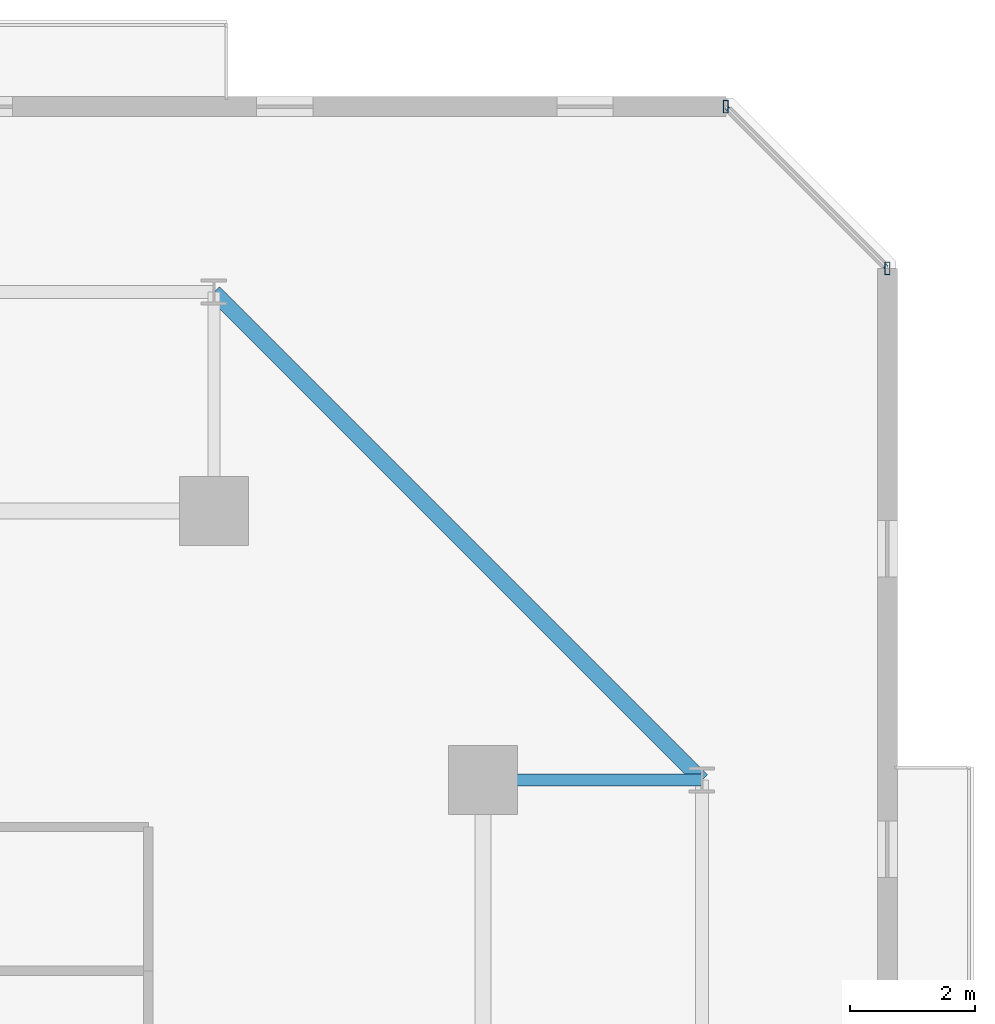
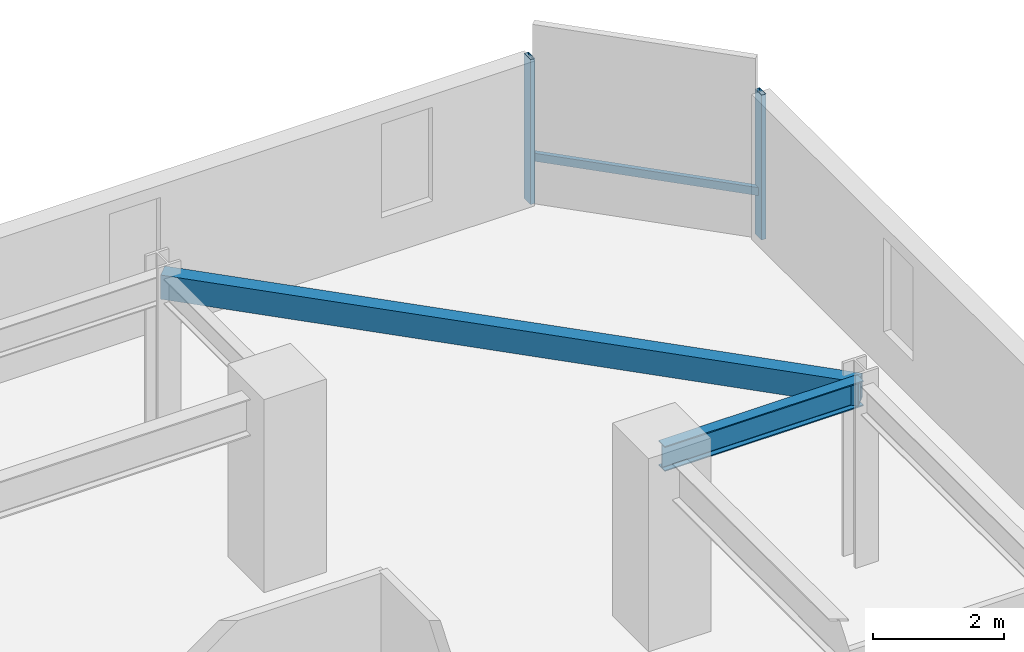
# One storey, part 17 of 33: 3 members, 2 beams, 1 element without a shape of its own.
"""IFC4 building model written with IfcOpenShell, lengths in metres."""

import ifcopenshell
import ifcopenshell.guid

model = None  # the IFC model being written
_history = None  # IfcOwnerHistory: only IFC2X3 demands one
_inside = {}  # id of a spatial element -> (the spatial element, [elements in it])
_under = {}  # id of a project, library or spatial element -> (it, [spatial elements below it])
_declared = {}  # id of a project -> (the project, [libraries it declares])
_typed = {}  # id of a type object -> (the type object, [elements of that type])
_made_of = {}  # id of a material, layer set ... -> (it, [elements and type objects made of it])


def new_model(schema):
    """Start an empty IFC model of exactly this schema.

    Asked for "IFC4X3", IfcOpenShell would pick the latest addendum, in which some entities
    have other attributes; the version numbers below select the first issue.
    IFC2X3 requires an IfcOwnerHistory on every rooted entity: one is made here for all.
    """
    global model, _history
    if schema == "IFC4X3":
        model = ifcopenshell.file(schema_version=(4, 3, 0, 0))
    else:
        model = ifcopenshell.file(schema=schema)
    _inside.clear()
    _under.clear()
    _declared.clear()
    _typed.clear()
    _made_of.clear()
    _history = None
    if model.schema == "IFC2X3":
        org = make("IfcOrganization", Name="unknown")
        user = make(
            "IfcPersonAndOrganization",
            ThePerson=make("IfcPerson", FamilyName="unknown"),
            TheOrganization=org,
        )
        app = make(
            "IfcApplication",
            ApplicationDeveloper=org,
            Version="unknown",
            ApplicationFullName="unknown",
            ApplicationIdentifier="unknown",
        )
        _history = make(
            "IfcOwnerHistory",
            OwningUser=user,
            OwningApplication=app,
            ChangeAction="ADDED",
            CreationDate=0,
        )
    return model


def make(cls, **values):
    """One entity of the class cls with the attributes given. An attribute that is None is left unset."""
    return model.create_entity(
        cls, **{name: value for name, value in values.items() if value is not None}
    )


def rooted(cls, **values):
    """An entity with a GlobalId (a new one), such as an element, a storey or a relation."""
    return make(cls, GlobalId=ifcopenshell.guid.new(), OwnerHistory=_history, **values)


def si_unit(unit_type, name, prefix=None):
    """IfcSIUnit, for example si_unit("LENGTHUNIT", "METRE", prefix="MILLI")."""
    return make("IfcSIUnit", UnitType=unit_type, Prefix=prefix, Name=name)


def assignment(units):
    """IfcUnitAssignment: the units of a project."""
    return None if units is None else make("IfcUnitAssignment", Units=units)


def point(xyz):
    """IfcCartesianPoint."""
    return None if xyz is None else make("IfcCartesianPoint", Coordinates=xyz)


def direction(xyz):
    """IfcDirection."""
    return None if xyz is None else make("IfcDirection", DirectionRatios=xyz)


def frame(location, z_axis=None, x_axis=None):
    """IfcAxis2Placement3D, a coordinate frame: its origin and axes. An axis left out is left unset."""
    return make(
        "IfcAxis2Placement3D",
        Location=point(location),
        Axis=direction(z_axis),
        RefDirection=direction(x_axis),
    )


def frame_2d(location, x_axis=None):
    """IfcAxis2Placement2D, a coordinate frame in the plane: its origin and x axis."""
    return make(
        "IfcAxis2Placement2D", Location=point(location), RefDirection=direction(x_axis)
    )


def origin():
    """The frame at (0, 0, 0) with its axes left unset."""
    return frame((0.0, 0.0, 0.0))


def origin_2d():
    """The frame at (0, 0) in the plane with its x axis left unset."""
    return frame_2d((0.0, 0.0))


def place(relative_to, where):
    """IfcLocalPlacement: puts the frame where relative to a parent placement (None: the world)."""
    return make(
        "IfcLocalPlacement", PlacementRelTo=relative_to, RelativePlacement=where
    )


def context(
    kind, dimensions, precision=None, world=None, true_north=None, identifier=None
):
    """IfcGeometricRepresentationContext, for example the 3D "Model" context."""
    return make(
        "IfcGeometricRepresentationContext",
        ContextIdentifier=identifier,
        ContextType=kind,
        CoordinateSpaceDimension=dimensions,
        Precision=precision,
        WorldCoordinateSystem=world,
        TrueNorth=true_north,
    )


def subcontext(parent, identifier, kind, view, scale=None):
    """IfcGeometricRepresentationSubContext, for example "Body" below "Model"."""
    return make(
        "IfcGeometricRepresentationSubContext",
        ContextIdentifier=identifier,
        ContextType=kind,
        ParentContext=parent,
        TargetScale=scale,
        TargetView=view,
    )


def project(units=None, contexts=None):
    """IfcProject with its units and contexts."""
    return rooted(
        "IfcProject",
        Name="project",
        RepresentationContexts=contexts,
        UnitsInContext=assignment(units),
    )


def spatial(cls, under=None, at=None, **own):
    """A site, building, storey or space (cls), placed at a placement, below another one or the project."""
    s = rooted(cls, ObjectPlacement=at, **own)
    if under is not None:
        _under.setdefault(under.id(), (under, []))[1].append(s)
    return s


def profile(cls, at=None, kind="AREA", **sizes):
    """A parametric profile (cls). Its sizes go by their IFC names, for example OverallWidth=200.0."""
    return make(cls, ProfileType=kind, Position=at, **sizes)


def hollow_rectangle(**sizes):
    """IfcRectangleHollowProfileDef."""
    return profile("IfcRectangleHollowProfileDef", **sizes)


def i_section(**sizes):
    """IfcIShapeProfileDef."""
    return profile("IfcIShapeProfileDef", **sizes)


def extrude(swept, where, along, depth):
    """IfcExtrudedAreaSolid: the profile swept, set in the frame where, extruded along a direction by depth."""
    return make(
        "IfcExtrudedAreaSolid",
        SweptArea=swept,
        Position=where,
        ExtrudedDirection=direction(along),
        Depth=depth,
    )


def shape(context_of_items, identifier, shape_type, items):
    """IfcShapeRepresentation: the items that make up one representation, for example the "Body"."""
    return make(
        "IfcShapeRepresentation",
        ContextOfItems=context_of_items,
        RepresentationIdentifier=identifier,
        RepresentationType=shape_type,
        Items=items,
    )


def material(Name=None, Category=None):
    """IfcMaterial."""
    return make("IfcMaterial", Name=Name, Category=Category)


def material_profile(
    of_material, cross_section, Name=None, Category=None, Priority=None
):
    """IfcMaterialProfile: a cross section and its material."""
    return make(
        "IfcMaterialProfile",
        Name=Name,
        Material=of_material,
        Profile=cross_section,
        Priority=Priority,
        Category=Category,
    )


def profile_set(profiles, Name=None, composite=None):
    """IfcMaterialProfileSet."""
    return make(
        "IfcMaterialProfileSet",
        Name=Name,
        MaterialProfiles=profiles,
        CompositeProfile=composite,
    )


def made_of(thing, what):
    """Note that an element or type object is made of a material, layer set ...; save() writes the relation."""
    if what is not None:
        _made_of.setdefault(what.id(), (what, []))[1].append(thing)
    return thing


def type_object(cls, material=None, **own):
    """A type object (cls), such as IfcWallType, which elements share."""
    return made_of(rooted(cls, **own), material)


def element(
    cls,
    number,
    at=None,
    inside=None,
    cuts=None,
    type_object=None,
    material=None,
    context=None,
    identifier="Body",
    shape_type=None,
    held_by="IfcProductDefinitionShape",
    body=None,
    shapes=None,
    **own,
):
    """One element of the class cls, such as IfcWall. Its Tag is "e" and its number.

    at: its placement. inside: the storey or other place that contains it. cuts: it is an
    opening in that element (IfcRelVoidsElement). A single representation is given by context,
    identifier, shape_type and body (its items); several are given by shapes. held_by: the class
    of the entity that holds the representations. save() writes the other relations.
    """
    e = rooted(cls, Tag="e%d" % number, ObjectPlacement=at, **own)
    if body is not None:
        shapes = [shape(context, identifier, shape_type, body)]
    if shapes is not None:
        e.Representation = make(held_by, Representations=shapes)
    if inside is not None:
        _inside.setdefault(inside.id(), (inside, []))[1].append(e)
    if cuts is not None:
        rooted(
            "IfcRelVoidsElement", RelatingBuildingElement=cuts, RelatedOpeningElement=e
        )
    if type_object is not None:
        _typed.setdefault(type_object.id(), (type_object, []))[1].append(e)
    return made_of(e, material)


def aggregate(whole, parts):
    """IfcRelAggregates: a whole, such as a stair, and the parts it consists of."""
    return rooted("IfcRelAggregates", RelatingObject=whole, RelatedObjects=parts)


def save(model, path):
    """Write the relations noted so far, then the file.

    IfcRelAggregates (storeys below a building ...), IfcRelContainedInSpatialStructure (elements
    in a storey), IfcRelDefinesByType, IfcRelAssociatesMaterial and IfcRelDeclares: one each for
    every whole, place, type object, material and project.
    """
    for whole, parts in _under.values():
        aggregate(whole, parts)
    for where, things in _inside.values():
        rooted(
            "IfcRelContainedInSpatialStructure",
            RelatedElements=things,
            RelatingStructure=where,
        )
    for kind, things in _typed.values():
        rooted("IfcRelDefinesByType", RelatedObjects=things, RelatingType=kind)
    for what, things in _made_of.values():
        rooted("IfcRelAssociatesMaterial", RelatedObjects=things, RelatingMaterial=what)
    for by, libraries in _declared.values():
        rooted("IfcRelDeclares", RelatingContext=by, RelatedDefinitions=libraries)
    model.write(path)


model = new_model("IFC4")

# Units and contexts
model_context = context("Model", 3, precision=1e-05, world=origin(), true_north=direction((0.0, 1.0)))
body_context = subcontext(model_context, "Body", "Model", "MODEL_VIEW")
ifc_project = project(units=[si_unit("LENGTHUNIT", "METRE"), si_unit("AREAUNIT", "SQUARE_METRE"), si_unit("VOLUMEUNIT", "CUBIC_METRE"), si_unit("PLANEANGLEUNIT", "RADIAN"), si_unit("MASSUNIT", "GRAM", prefix="KILO")], contexts=[model_context])

# Site, building, storey
site_placement = place(None, origin())
site = spatial("IfcSite", under=ifc_project, at=site_placement, CompositionType="ELEMENT")
building_placement = place(site_placement, origin())
building = spatial("IfcBuilding", under=site, at=building_placement, Name="Thornwick Lancets Civic Towers", CompositionType="ELEMENT")
storey_placement = place(building_placement, frame((0.0, 0.0, 159.89990234375)))
storey = spatial("IfcBuildingStorey", under=building, at=storey_placement, Name="L42", CompositionType="ELEMENT", Elevation=159.89990234375)

# Beams
ifc_material_1 = material(Name="Steel S355JR", Category="steel")
ifc_material_profile_1 = material_profile(ifc_material_1, i_section(OverallWidth=0.19287109375, OverallDepth=0.46728515625, WebThickness=0.011474609375, FlangeThickness=0.01953125, FilletRadius=0.01025390625, at=origin_2d()), Name="UKB 457x191x98")
ifc_profile_set_1 = profile_set([ifc_material_profile_1], Name="Steel S355JR")
beam_type_1 = type_object("IfcBeamType", Name="BM_JOIST_457_98", PredefinedType="JOIST", material=ifc_profile_set_1)
beam_1_placement = place(storey_placement, frame((105.800048828125, 40.0, 3.12646484375), z_axis=(1.0, 0.0, 0.0), x_axis=(0.0, 1.0, 0.0)))
element("IfcBeam", 1, at=beam_1_placement, inside=storey, type_object=beam_type_1, Name="BM-RAD-L42-B03", PredefinedType="JOIST", context=body_context, shape_type="SweptSolid", body=[
    extrude(i_section(OverallWidth=0.19287109375, OverallDepth=0.46728515625, WebThickness=0.011474609375, FlangeThickness=0.01953125, FilletRadius=0.01025390625, at=origin_2d()), origin(), (0.0, 0.0, 1.0), 3.5),
])
ifc_material_profile_2 = material_profile(ifc_material_1, hollow_rectangle(XDim=0.25, YDim=0.449951171875, WallThickness=0.01611328125, at=origin_2d()), Name="RHS 450x250x16")
ifc_profile_set_2 = profile_set([ifc_material_profile_2], Name="Steel S355JR")
beam_type_2 = type_object("IfcBeamType", Name="BM_RING_RHS450", PredefinedType="BEAM", material=ifc_profile_set_2)
beam_2_placement = place(storey_placement, frame((109.300048828125, 40.0, 3.135009765625), z_axis=(-0.707106781187, 0.707106781187, 0.0), x_axis=(-0.707106781187, -0.707106781187, 0.0)))
element("IfcBeam", 2, at=beam_2_placement, inside=storey, type_object=beam_type_2, Name="BM-CHAMF-L42-B-C0", PredefinedType="BEAM", context=body_context, shape_type="SweptSolid", body=[
    extrude(hollow_rectangle(XDim=0.25, YDim=0.449951171875, WallThickness=0.01611328125, at=origin_2d()), origin(), (0.0, 0.0, 1.0), 11.031005859375),
])

# Curtain wall, members
ifc_material_2 = material(Name="Mid-zone chamfered-corner unitised glass curtain wall", Category="glass")
curtain_wall_type = type_object("IfcCurtainWallType", Name="CW_SYS_04", PredefinedType="NOTDEFINED", material=ifc_material_2)
curtain_wall_placement = place(storey_placement, origin())
curtain_wall = element("IfcCurtainWall", 3, at=curtain_wall_placement, inside=storey, type_object=curtain_wall_type, Name="L42 Curtain Wall CW-L42-B-E3", PredefinedType="NOTDEFINED")
ifc_material_3 = material(Name="Thermally broken bronze aluminium S355", Category="steel")
ifc_material_profile_3 = material_profile(ifc_material_3, hollow_rectangle(XDim=0.080078125, YDim=0.199951171875, WallThickness=0.006103515625, at=origin_2d()), Name="RHS 200x80x6")
ifc_profile_set_3 = profile_set([ifc_material_profile_3], Name="Thermally broken bronze aluminium S355")
member_type_1 = type_object("IfcMemberType", Name="CW_MUL_200", PredefinedType="MULLION", material=ifc_profile_set_3)
member_1_placement = place(storey_placement, frame((112.2646484375, 48.181396484375, 0.0), z_axis=(0.0, 0.0, 1.0), x_axis=(1.0, 0.0, 0.0)))
member_1 = element("IfcMember", 4, at=member_1_placement, type_object=member_type_1, Name="CW-L42-B-E3 Mullion 0", PredefinedType="MULLION", context=body_context, shape_type="SweptSolid", body=[
    extrude(hollow_rectangle(XDim=0.080078125, YDim=0.199951171875, WallThickness=0.006103515625, at=origin_2d()), origin(), (0.0, 0.0, 1.0), 2.7001953125),
])
member_2_placement = place(storey_placement, frame((109.681396484375, 50.7646484375, 0.0), z_axis=(0.0, 0.0, 1.0), x_axis=(1.0, 0.0, 0.0)))
member_2 = element("IfcMember", 5, at=member_2_placement, type_object=member_type_1, Name="CW-L42-B-E3 Mullion 1", PredefinedType="MULLION", context=body_context, shape_type="SweptSolid", body=[
    extrude(hollow_rectangle(XDim=0.080078125, YDim=0.199951171875, WallThickness=0.006103515625, at=origin_2d()), origin(), (0.0, 0.0, 1.0), 2.7001953125),
])
ifc_material_profile_4 = material_profile(ifc_material_3, hollow_rectangle(XDim=0.074951171875, YDim=0.14990234375, WallThickness=0.0048828125, at=origin_2d()), Name="RHS 150x75x5")
ifc_profile_set_4 = profile_set([ifc_material_profile_4], Name="Thermally broken bronze aluminium S355")
member_type_2 = type_object("IfcMemberType", Name="CW_TRN_150", PredefinedType="USERDEFINED", material=ifc_profile_set_4)
member_3_placement = place(storey_placement, frame((112.25048828125, 48.195556640625, 0.85009765625), z_axis=(-0.707106781187, 0.707106781187, 0.0), x_axis=(-0.707106781187, -0.707106781187, 0.0)))
member_3 = element("IfcMember", 6, at=member_3_placement, type_object=member_type_2, Name="CW-L42-B-E3 Transom 0", ObjectType="TRANSOM", PredefinedType="USERDEFINED", context=body_context, shape_type="SweptSolid", body=[
    extrude(hollow_rectangle(XDim=0.074951171875, YDim=0.14990234375, WallThickness=0.0048828125, at=origin_2d()), origin(), (0.0, 0.0, 1.0), 3.61328125),
])
aggregate(curtain_wall, [member_1, member_2, member_3])

save(model, "model.ifc")
